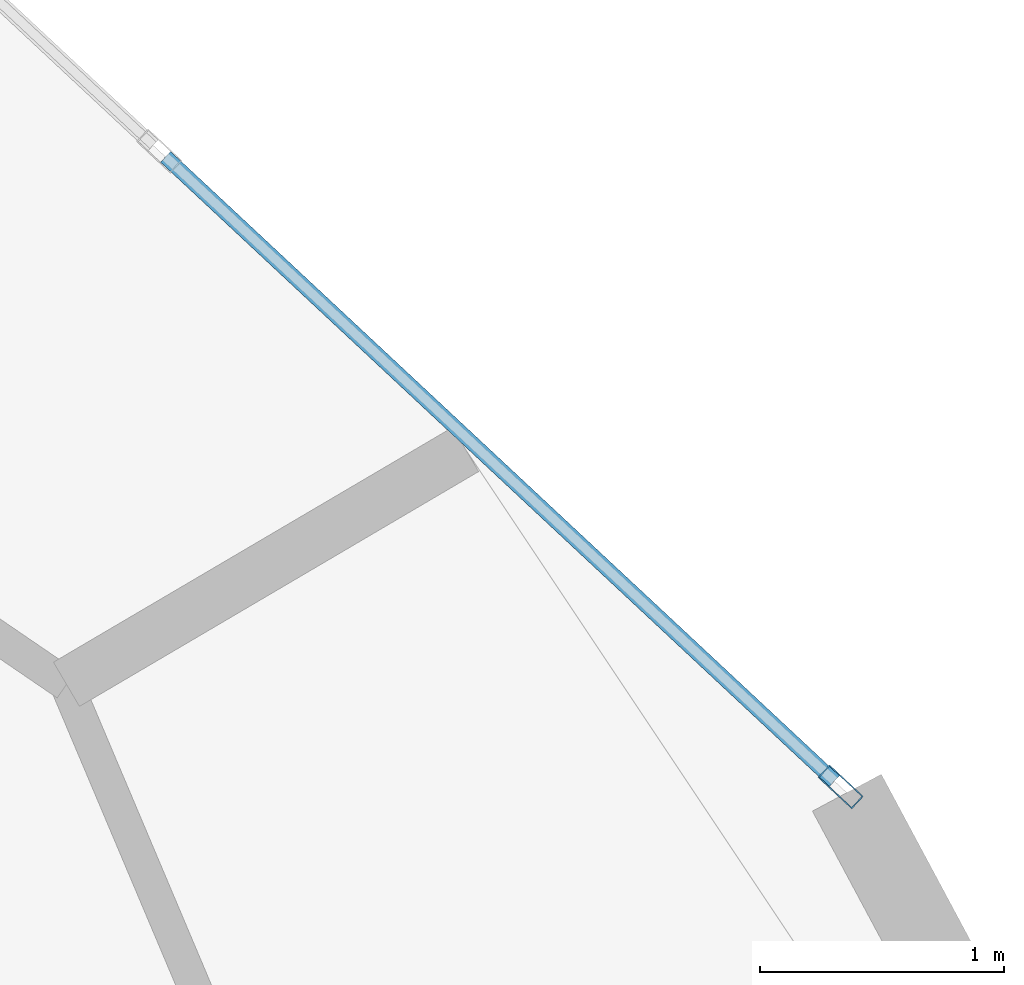
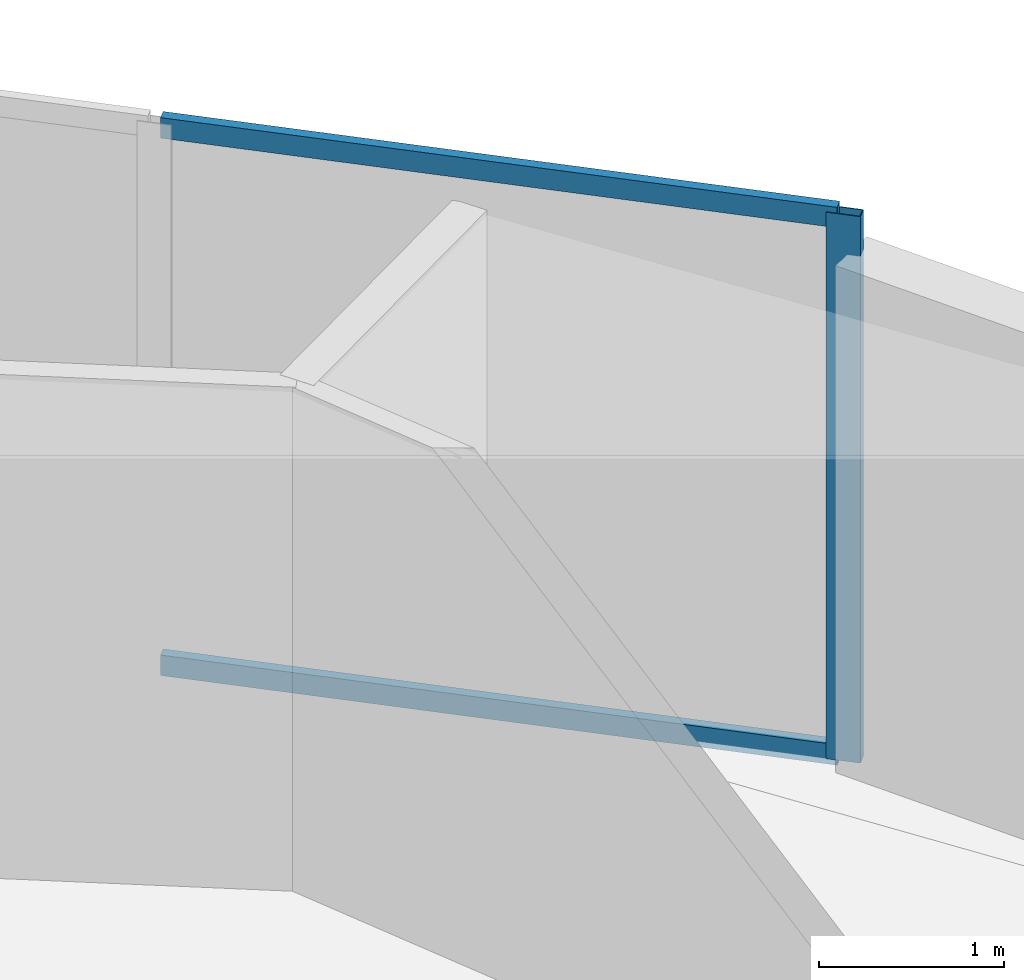
# One storey, part 18 of 26: 3 members, 1 element without a shape of its own.
"""IFC4 building model written with IfcOpenShell, lengths in metres."""

from ifc_helpers import new_model, si_unit, direction, frame, origin, origin_2d, place, context, subcontext, project, spatial, hollow_rectangle, extrude, source, transform, mapped, material, layer, layer_set, material_profile, profile_set, type_object, element, aggregate, save


model = new_model("IFC4")

# Units and contexts
model_context = context("Model", 3, precision=1e-05, world=origin(), true_north=direction((0.0, 1.0)))
body_context = subcontext(model_context, "Body", "Model", "MODEL_VIEW")
ifc_project = project(units=[si_unit("LENGTHUNIT", "METRE"), si_unit("AREAUNIT", "SQUARE_METRE"), si_unit("VOLUMEUNIT", "CUBIC_METRE"), si_unit("PLANEANGLEUNIT", "RADIAN"), si_unit("MASSUNIT", "GRAM", prefix="KILO")], contexts=[model_context])

# Site, building, storey
site_placement = place(None, origin())
site = spatial("IfcSite", under=ifc_project, at=site_placement, CompositionType="ELEMENT")
building_placement = place(site_placement, origin())
building = spatial("IfcBuilding", under=site, at=building_placement, Name="Solvirekh Grand Hotel", CompositionType="ELEMENT")
storey_placement = place(building_placement, frame((0.0, 0.0, 35.60009765625)))
storey = spatial("IfcBuildingStorey", under=building, at=storey_placement, Name="L07", CompositionType="ELEMENT", Elevation=35.60009765625)

# Curtain wall, members
ifc_material = material(Name="Anodized Bronze Aluminium 6063-T6", Category="aluminium")
ifc_layer = layer(ifc_material, 0.18994140625)
ifc_layer_set = layer_set([ifc_layer], Name="Anodized Bronze Aluminium 6063-T6")
curtain_wall_type = type_object("IfcCurtainWallType", Name="CW_Sys2_LowZoneFlushBronzeCW", PredefinedType="NOTDEFINED", material=ifc_layer_set)
curtain_wall_placement = place(storey_placement, origin())
curtain_wall = element("IfcCurtainWall", 1, at=curtain_wall_placement, inside=storey, type_object=curtain_wall_type, Name="L07 unitised bronze-glass curtain wall CW-L07-C03", PredefinedType="NOTDEFINED")
ifc_material_profile_1 = material_profile(ifc_material, hollow_rectangle(XDim=0.06005859375, YDim=0.135009765625, WallThickness=0.00390625, at=origin_2d()), Name="ALU RHS 135X60X4")
ifc_profile_set_1 = profile_set([ifc_material_profile_1], Name="Anodized Bronze Aluminium 6063-T6")
member_type_1 = type_object("IfcMemberType", Name="CWTransom_Sys2", PredefinedType="USERDEFINED", material=ifc_profile_set_1)
shared_shape_1 = source(origin(), body_context, "Body", "SweptSolid", [
    extrude(hollow_rectangle(XDim=0.06005859375, YDim=0.135009765625, WallThickness=0.00390625, at=origin_2d()), origin(), (0.0, 0.0, 1.0), 3.74755859375),
])
member_1_placement = place(storey_placement, frame((23.7587890625, 11.48681640625, 0.02978515625), z_axis=(-0.731083431078, 0.682288074646, 0.0), x_axis=(-0.682288074646, -0.731083431078, 0.0)))
member_1 = element("IfcMember", 2, at=member_1_placement, type_object=member_type_1, Name="U02 transom 1.1", ObjectType="TRANSOM", PredefinedType="USERDEFINED", context=body_context, shape_type="MappedRepresentation", body=[
    mapped(shared_shape_1, transform((0.0, 0.0, 0.0), x_axis=(1.0, 0.0, 0.0), y_axis=(0.0, 1.0, 0.0), z_axis=(0.0, 0.0, 1.0), scale=1.0)),
])
member_2_placement = place(storey_placement, frame((23.7587890625, 11.48681640625, 3.56982421875), z_axis=(-0.731083431078, 0.682288074646, 0.0), x_axis=(-0.682288074646, -0.731083431078, 0.0)))
member_2 = element("IfcMember", 3, at=member_2_placement, type_object=member_type_1, Name="U02 transom 1.2", ObjectType="TRANSOM", PredefinedType="USERDEFINED", context=body_context, shape_type="MappedRepresentation", body=[
    mapped(shared_shape_1, transform((0.0, 0.0, 0.0), x_axis=(1.0, 0.0, 0.0), y_axis=(0.0, 1.0, 0.0), z_axis=(0.0, 0.0, 1.0), scale=1.0)),
])
ifc_material_profile_2 = material_profile(ifc_material, hollow_rectangle(XDim=0.070068359375, YDim=0.18994140625, WallThickness=0.0048828125, at=origin_2d()), Name="ALU RHS 190X70X5")
ifc_profile_set_2 = profile_set([ifc_material_profile_2], Name="Anodized Bronze Aluminium 6063-T6")
member_type_2 = type_object("IfcMemberType", Name="CWMullion_Sys2", PredefinedType="MULLION", material=ifc_profile_set_2)
shared_shape_2 = source(origin(), body_context, "Body", "SweptSolid", [
    extrude(hollow_rectangle(XDim=0.070068359375, YDim=0.18994140625, WallThickness=0.0048828125, at=origin_2d()), origin(), (0.0, 0.0, 1.0), 3.599853515625),
])
member_3_placement = place(storey_placement, frame((23.784423828125, 11.462890625, 0.0), z_axis=(0.0, 0.0, 1.0), x_axis=(-0.682285880223, -0.73108547903, 0.0)))
member_3 = element("IfcMember", 4, at=member_3_placement, type_object=member_type_2, Name="U02 mullion 1", PredefinedType="MULLION", context=body_context, shape_type="MappedRepresentation", body=[
    mapped(shared_shape_2, transform((0.0, 0.0, 0.0), x_axis=(1.0, 0.0, 0.0), y_axis=(0.0, 1.0, 0.0), z_axis=(0.0, 0.0, 1.0), scale=1.0)),
])
aggregate(curtain_wall, [member_3, member_1, member_2])

save(model, "model.ifc")
